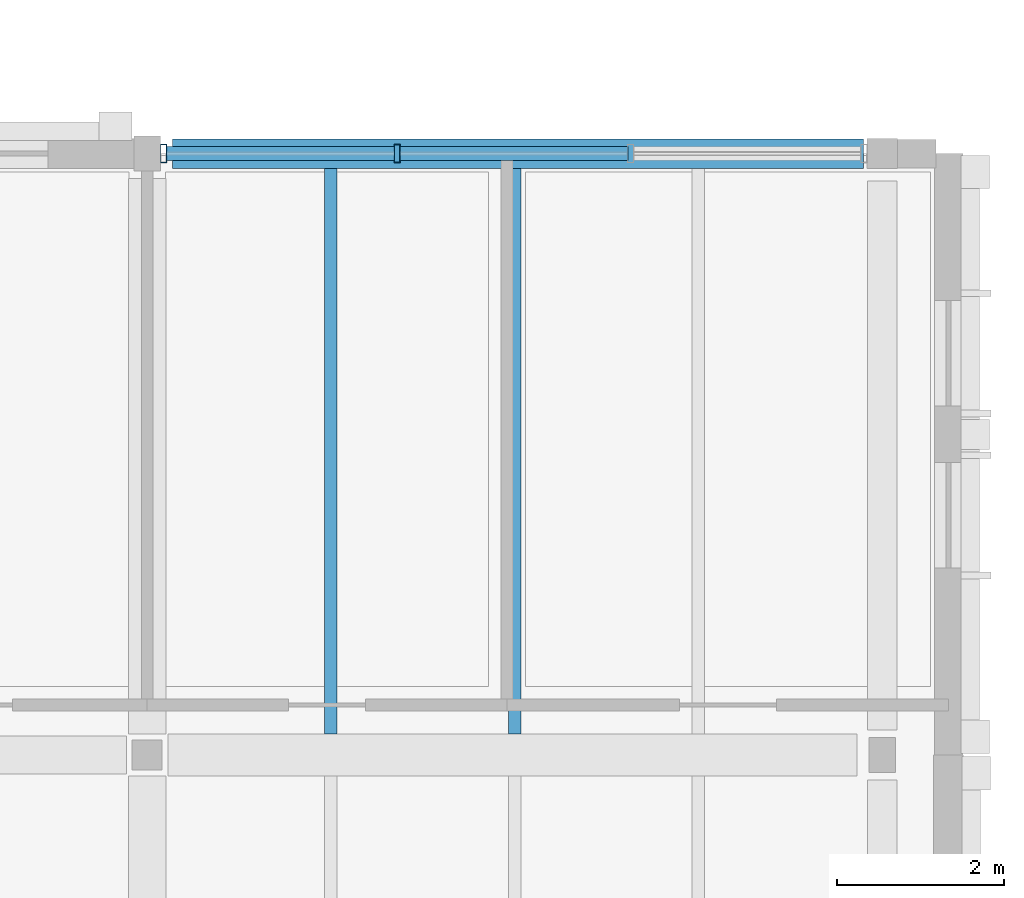
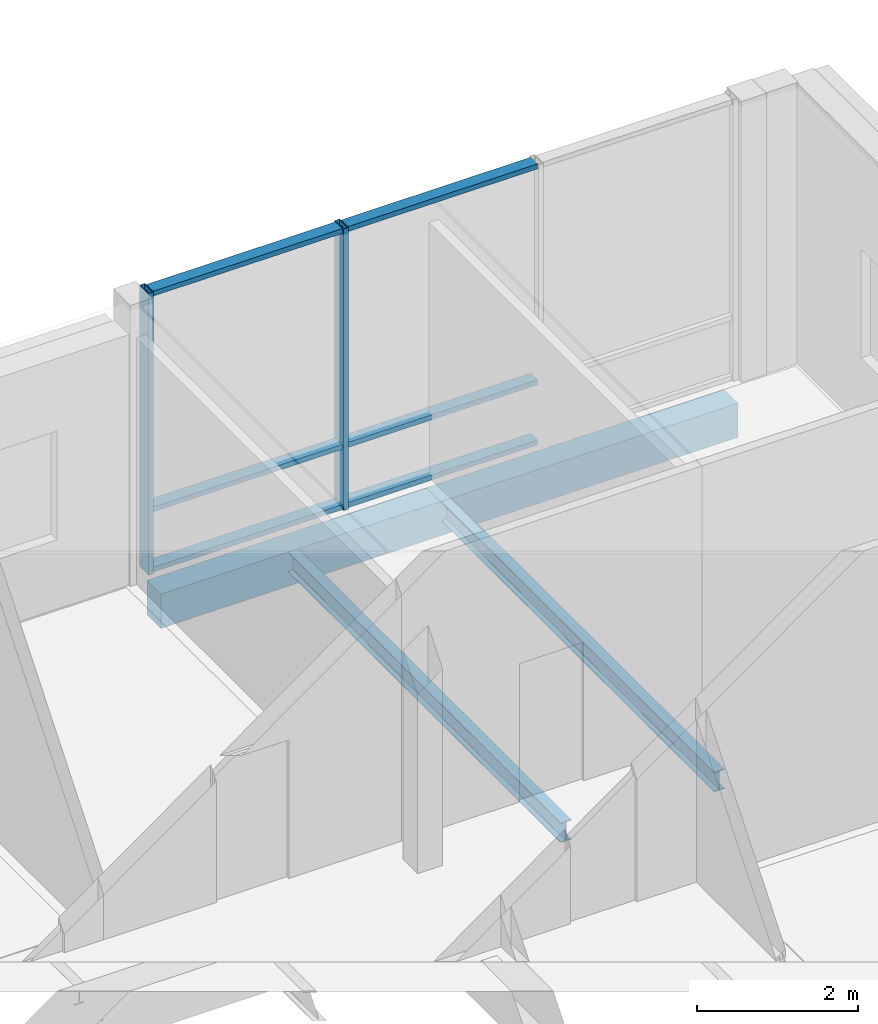
# One storey, part 55 of 146: 8 members, 3 beams, 1 element without a shape of its own.
"""IFC4 building model written with IfcOpenShell, lengths in metres."""

from ifc_helpers import new_model, si_unit, direction, frame, origin, origin_2d, place, context, subcontext, project, spatial, rectangle, hollow_rectangle, i_section, extrude, material, material_profile, profile_set, type_object, element, aggregate, save


model = new_model("IFC4")

# Units and contexts
model_context = context("Model", 3, precision=1e-05, world=origin(), true_north=direction((0.0, 1.0)))
body_context = subcontext(model_context, "Body", "Model", "MODEL_VIEW")
ifc_project = project(units=[si_unit("LENGTHUNIT", "METRE"), si_unit("AREAUNIT", "SQUARE_METRE"), si_unit("VOLUMEUNIT", "CUBIC_METRE"), si_unit("PLANEANGLEUNIT", "RADIAN"), si_unit("MASSUNIT", "GRAM", prefix="KILO")], contexts=[model_context])

# Site, building, storey
site_placement = place(None, origin())
site = spatial("IfcSite", under=ifc_project, at=site_placement, CompositionType="ELEMENT")
building_placement = place(site_placement, origin())
building = spatial("IfcBuilding", under=site, at=building_placement, Name="Hawrajan Terrace Health Centre", CompositionType="ELEMENT")
storey_placement = place(building_placement, frame((0.0, 0.0, 4.5)))
storey = spatial("IfcBuildingStorey", under=building, at=storey_placement, Name="L01", CompositionType="ELEMENT", Elevation=4.5)

# Curtain wall, members
ifc_material_1 = material(Name="Anodized bronze aluminium and low-E solar glazing", Category="aluminium")
curtain_wall_type = type_object("IfcCurtainWallType", Name="CW_Garden_SeriesF1", PredefinedType="USERDEFINED", material=ifc_material_1)
curtain_wall_placement = place(storey_placement, origin())
curtain_wall = element("IfcCurtainWall", 1, at=curtain_wall_placement, inside=storey, type_object=curtain_wall_type, Name="Curtain wall CW-L01-086", ObjectType="UNITISED CURTAIN WALL", PredefinedType="USERDEFINED")
ifc_material_2 = material(Name="Anodized bronze aluminium 6063-T6", Category="aluminium")
ifc_material_profile_1 = material_profile(ifc_material_2, hollow_rectangle(XDim=0.074951171875, YDim=0.219970703125, WallThickness=0.0048828125, at=origin_2d()), Name="CW MUL 75x220")
ifc_profile_set_1 = profile_set([ifc_material_profile_1], Name="Anodized bronze aluminium 6063-T6")
member_type_1 = type_object("IfcMemberType", Name="CWMullion_75x220", PredefinedType="MULLION", material=ifc_profile_set_1)
member_1_placement = place(storey_placement, frame((62.3974609375, 59.800048828125, -0.0048828125), z_axis=(0.0, 0.0, 1.0), x_axis=(1.0, 0.0, 0.0)))
member_1 = element("IfcMember", 2, at=member_1_placement, type_object=member_type_1, Name="Mullion CW-L01-086-M1", PredefinedType="MULLION", context=body_context, shape_type="SweptSolid", body=[
    extrude(hollow_rectangle(XDim=0.074951171875, YDim=0.219970703125, WallThickness=0.0048828125, at=origin_2d()), origin(), (0.0, 0.0, 1.0), 4.269775390625),
])
member_2_placement = place(storey_placement, frame((65.1923828125, 59.800048828125, -0.0048828125), z_axis=(0.0, 0.0, 1.0), x_axis=(1.0, 0.0, 0.0)))
member_2 = element("IfcMember", 3, at=member_2_placement, type_object=member_type_1, Name="Mullion CW-L01-086-M2", PredefinedType="MULLION", context=body_context, shape_type="SweptSolid", body=[
    extrude(hollow_rectangle(XDim=0.074951171875, YDim=0.219970703125, WallThickness=0.0048828125, at=origin_2d()), origin(), (0.0, 0.0, 1.0), 4.269775390625),
])
ifc_material_profile_2 = material_profile(ifc_material_2, hollow_rectangle(XDim=0.074951171875, YDim=0.169921875, WallThickness=0.00439453125, at=origin_2d()), Name="CW TRN 75x170")
ifc_profile_set_2 = profile_set([ifc_material_profile_2], Name="Anodized bronze aluminium 6063-T6")
member_type_2 = type_object("IfcMemberType", Name="CWTransom_75x170", PredefinedType="USERDEFINED", material=ifc_profile_set_2)
member_3_placement = place(storey_placement, frame((62.428955078125, 59.800048828125, 0.03759765625), z_axis=(1.0, 0.0, 0.0), x_axis=(0.0, 0.0, 1.0)))
member_3 = element("IfcMember", 4, at=member_3_placement, type_object=member_type_2, Name="Transom CW-L01-086-T1-1", ObjectType="TRANSOM", PredefinedType="USERDEFINED", context=body_context, shape_type="SweptSolid", body=[
    extrude(hollow_rectangle(XDim=0.074951171875, YDim=0.169921875, WallThickness=0.00439453125, at=origin_2d()), origin(), (0.0, 0.0, 1.0), 2.73193359375),
])
member_4_placement = place(storey_placement, frame((62.428955078125, 59.800048828125, 0.949951171875), z_axis=(1.0, 0.0, 0.0), x_axis=(0.0, 0.0, 1.0)))
member_4 = element("IfcMember", 5, at=member_4_placement, type_object=member_type_2, Name="Transom CW-L01-086-T1-2", ObjectType="TRANSOM", PredefinedType="USERDEFINED", context=body_context, shape_type="SweptSolid", body=[
    extrude(hollow_rectangle(XDim=0.074951171875, YDim=0.169921875, WallThickness=0.00439453125, at=origin_2d()), origin(), (0.0, 0.0, 1.0), 2.73193359375),
])
member_5_placement = place(storey_placement, frame((62.428955078125, 59.800048828125, 4.222412109375), z_axis=(1.0, 0.0, 0.0), x_axis=(0.0, 0.0, 1.0)))
member_5 = element("IfcMember", 6, at=member_5_placement, type_object=member_type_2, Name="Transom CW-L01-086-T1-3", ObjectType="TRANSOM", PredefinedType="USERDEFINED", context=body_context, shape_type="SweptSolid", body=[
    extrude(hollow_rectangle(XDim=0.074951171875, YDim=0.169921875, WallThickness=0.00439453125, at=origin_2d()), origin(), (0.0, 0.0, 1.0), 2.73193359375),
])
member_6_placement = place(storey_placement, frame((65.22412109375, 59.800048828125, 0.03759765625), z_axis=(1.0, 0.0, 0.0), x_axis=(0.0, 0.0, 1.0)))
member_6 = element("IfcMember", 7, at=member_6_placement, type_object=member_type_2, Name="Transom CW-L01-086-T2-1", ObjectType="TRANSOM", PredefinedType="USERDEFINED", context=body_context, shape_type="SweptSolid", body=[
    extrude(hollow_rectangle(XDim=0.074951171875, YDim=0.169921875, WallThickness=0.00439453125, at=origin_2d()), origin(), (0.0, 0.0, 1.0), 2.73193359375),
])
member_7_placement = place(storey_placement, frame((65.22412109375, 59.800048828125, 0.949951171875), z_axis=(1.0, 0.0, 0.0), x_axis=(0.0, 0.0, 1.0)))
member_7 = element("IfcMember", 8, at=member_7_placement, type_object=member_type_2, Name="Transom CW-L01-086-T2-2", ObjectType="TRANSOM", PredefinedType="USERDEFINED", context=body_context, shape_type="SweptSolid", body=[
    extrude(hollow_rectangle(XDim=0.074951171875, YDim=0.169921875, WallThickness=0.00439453125, at=origin_2d()), origin(), (0.0, 0.0, 1.0), 2.73193359375),
])
member_8_placement = place(storey_placement, frame((65.22412109375, 59.800048828125, 4.222412109375), z_axis=(1.0, 0.0, 0.0), x_axis=(0.0, 0.0, 1.0)))
member_8 = element("IfcMember", 9, at=member_8_placement, type_object=member_type_2, Name="Transom CW-L01-086-T2-3", ObjectType="TRANSOM", PredefinedType="USERDEFINED", context=body_context, shape_type="SweptSolid", body=[
    extrude(hollow_rectangle(XDim=0.074951171875, YDim=0.169921875, WallThickness=0.00439453125, at=origin_2d()), origin(), (0.0, 0.0, 1.0), 2.73193359375),
])
aggregate(curtain_wall, [member_1, member_2, member_3, member_4, member_5, member_6, member_7, member_8])

# Beams
ifc_material_3 = material(Name="Concrete C40/50", Category="concrete")
ifc_material_profile_3 = material_profile(ifc_material_3, rectangle(XDim=0.35009765625, YDim=0.52001953125, at=origin_2d()), Name="RC SP 350x520")
ifc_profile_set_3 = profile_set([ifc_material_profile_3], Name="Concrete C40/50")
beam_type_1 = type_object("IfcBeamType", Name="RCSpandrel_350x520", PredefinedType="SPANDREL", material=ifc_profile_set_3)
beam_placement = place(storey_placement, frame((62.5, 59.800048828125, -0.56005859375), z_axis=(1.0, 0.0, 0.0), x_axis=(0.0, 1.0, 0.0)))
element("IfcBeam", 10, at=beam_placement, inside=storey, type_object=beam_type_1, Name="Beam BM-X-L01-W-09-Y8", PredefinedType="SPANDREL", context=body_context, shape_type="SweptSolid", body=[
    extrude(rectangle(XDim=0.35009765625, YDim=0.52001953125, at=origin_2d()), origin(), (0.0, 0.0, 1.0), 8.27490234375),
])
ifc_material_4 = material(Name="Steel S355", Category="steel")
ifc_material_profile_4 = material_profile(ifc_material_4, i_section(OverallWidth=0.14990234375, OverallDepth=0.300048828125, WebThickness=0.007080078125, FlangeThickness=0.0107421875, FilletRadius=0.014892578125, at=origin_2d()), Name="IPE 300")
ifc_profile_set_4 = profile_set([ifc_material_profile_4], Name="Steel S355")
beam_type_2 = type_object("IfcBeamType", Name="SteelBeam_IPE300", PredefinedType="JOIST", material=ifc_profile_set_4)
for number, where, z_axis, x_axis, name in (
    (11, (64.39990234375, 52.85009765625, -0.449951171875), (0.0, 1.0, 0.0), (-1.0, 0.0, 0.0), "Secondary joist JST-L01-W-09-7-1"),
    (12, (66.60009765625, 52.85009765625, -0.449951171875), (0.0, 1.0, 0.0), (-1.0, 0.0, 0.0), "Secondary joist JST-L01-W-09-7-2"),
):
    element("IfcBeam", number, at=place(storey_placement, frame(where, z_axis=z_axis, x_axis=x_axis)), inside=storey, type_object=beam_type_2, Name=name, PredefinedType="JOIST", context=body_context, shape_type="SweptSolid", body=[
        extrude(i_section(OverallWidth=0.14990234375, OverallDepth=0.300048828125, WebThickness=0.007080078125, FlangeThickness=0.0107421875, FilletRadius=0.014892578125, at=origin_2d()), origin(), (0.0, 0.0, 1.0), 6.77490234375),
    ])

save(model, "model.ifc")
